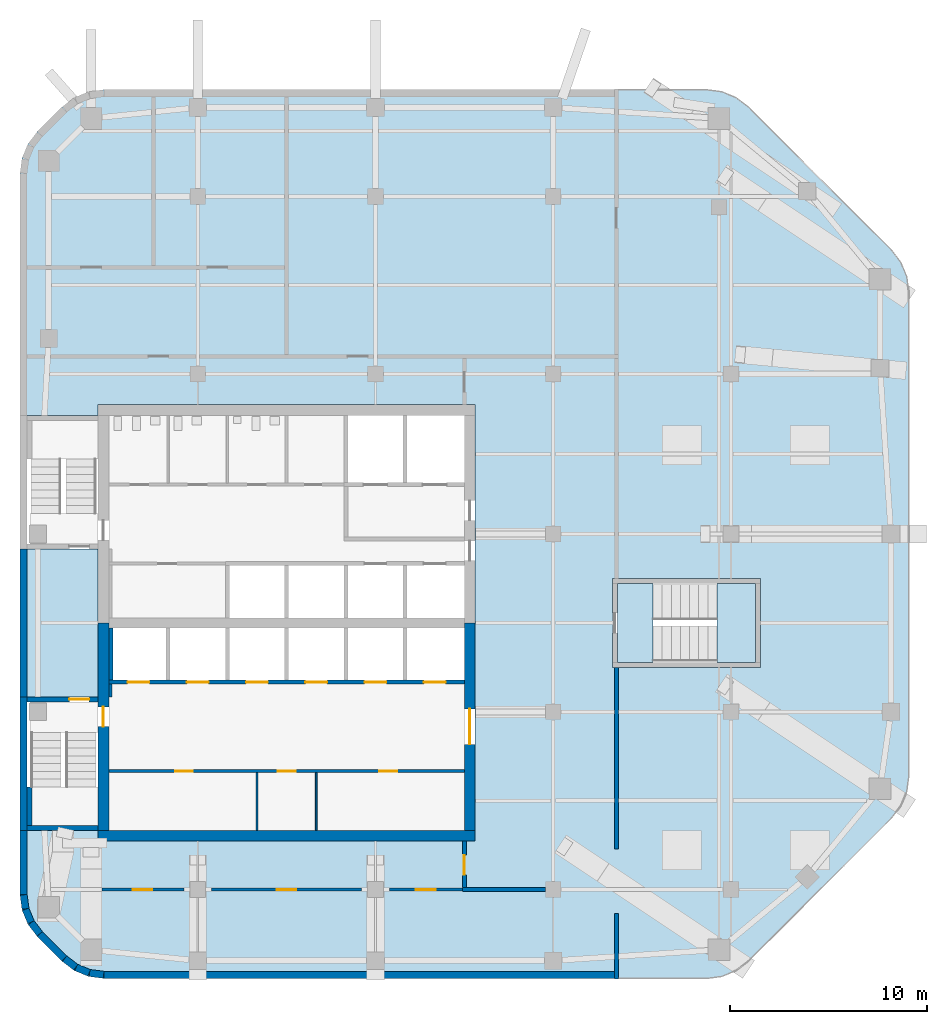
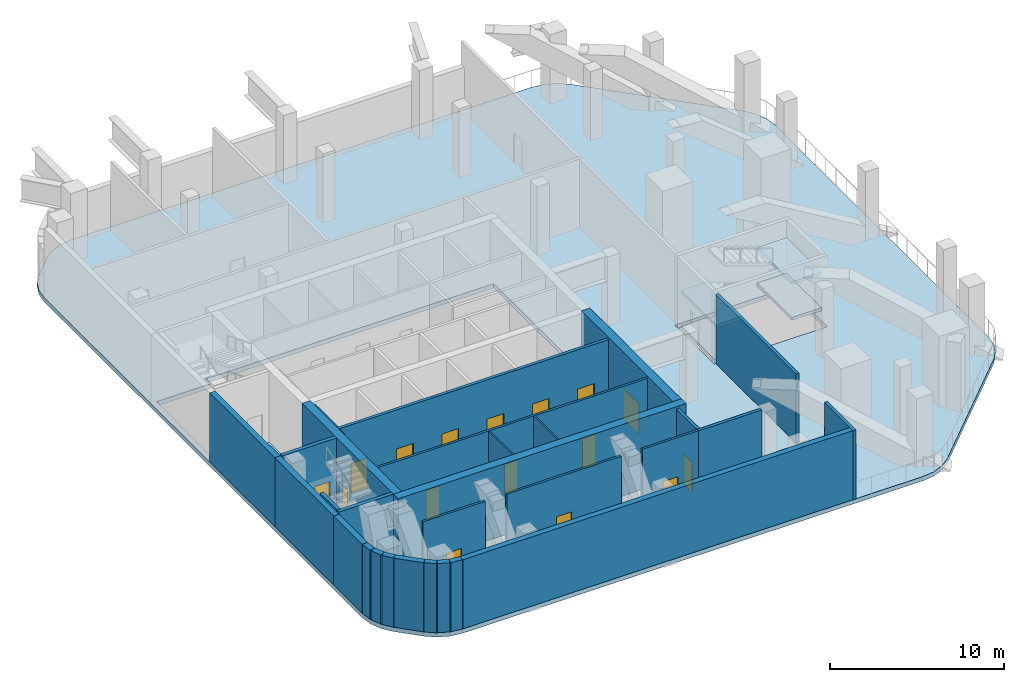
# One storey, part 3 of 8: 30 walls, 16 doors, 5 slabs, 16 openings, 1 element without a shape of its own.
"""IFC4 building model written with IfcOpenShell, lengths in metres."""

from ifc_helpers import new_model, si_unit, direction, frame, frame_2d, origin, place, context, subcontext, project, spatial, polyline, rectangle, outline, extrude, material, layer, layer_set, type_object, element, fill, aggregate, save


model = new_model("IFC4")

# Units and contexts
model_context = context("Model", 3, precision=1e-05, world=origin(), true_north=direction((0.0, 1.0)))
body_context = subcontext(model_context, "Body", "Model", "MODEL_VIEW")
ifc_project = project(units=[si_unit("LENGTHUNIT", "METRE"), si_unit("AREAUNIT", "SQUARE_METRE"), si_unit("VOLUMEUNIT", "CUBIC_METRE"), si_unit("PLANEANGLEUNIT", "RADIAN"), si_unit("MASSUNIT", "GRAM", prefix="KILO")], contexts=[model_context])

# Site, building, storey
site_placement = place(None, origin())
site = spatial("IfcSite", under=ifc_project, at=site_placement, CompositionType="ELEMENT")
building_placement = place(site_placement, origin())
building = spatial("IfcBuilding", under=site, at=building_placement, Name="Cinnabar Reach Civic Tower", CompositionType="ELEMENT")
storey_placement = place(building_placement, frame((0.0, 0.0, 242.0)))
storey = spatial("IfcBuildingStorey", under=building, at=storey_placement, Name="L58", CompositionType="ELEMENT", Elevation=242.0)

# Slab
ifc_material_1 = material(Name="Concrete C40", Category="concrete")
ifc_layer_1 = layer(ifc_material_1, 0.3)
ifc_layer_set_1 = layer_set([ifc_layer_1], Name="Refuge floor slab 300 REI 150")
slab_type_1 = type_object("IfcSlabType", Name="Refuge floor slab 300 REI 150", PredefinedType="FLOOR", material=ifc_layer_set_1)
slab_1_placement = place(storey_placement, frame((0.0, 0.0, -0.3)))
element("IfcSlab", 1, at=slab_1_placement, inside=storey, type_object=slab_type_1, Name="Refuge floor slab 300 T1 L58", PredefinedType="FLOOR", context=body_context, shape_type="SweptSolid", body=[
    extrude(outline(polyline([(0.8787, 15.6213), (0.4019, 16.2426), (0.1022, 16.9662), (0.0, 17.7426), (0.0, 54.2574), (0.1022, 55.0338), (0.4019, 55.7574), (0.8787, 56.3787), (2.1213, 57.6213), (2.7426, 58.0981), (3.4662, 58.3978), (4.2426, 58.5), (34.7574, 58.5), (35.5338, 58.3978), (36.2574, 58.0981), (36.8787, 57.6213), (44.1213, 50.3787), (44.5981, 49.7574), (44.8978, 49.0338), (45.0, 48.2574), (45.0, 23.7426), (44.8978, 22.9662), (44.5981, 22.2426), (44.1213, 21.6213), (36.8787, 14.3787), (36.2574, 13.9019), (35.5338, 13.6022), (34.7574, 13.5), (4.2426, 13.5), (3.4662, 13.6022), (2.7426, 13.9019), (2.1213, 14.3787), (0.8787, 15.6213)]), holes=[polyline([(0.36, 21.0), (3.95, 21.0), (3.95, 20.45), (23.05, 20.45), (23.05, 42.55), (3.95, 42.55), (3.95, 42.0), (0.36, 42.0), (0.36, 35.25), (3.95, 35.25), (3.95, 27.75), (0.36, 27.75), (0.36, 21.0)]), polyline([(30.0, 33.75), (30.0, 29.25), (37.5, 29.25), (37.5, 33.75), (30.0, 33.75)])]), origin(), (0.0, 0.0, 1.0), 0.3),
])

# Stair, slabs
ifc_material_2 = material(Name="Concrete C40/50", Category="concrete")
stair_type = type_object("IfcStairType", Name="T1 Exit stair, double return", PredefinedType="DOUBLE_RETURN_STAIR", material=ifc_material_2)
stair_placement = place(storey_placement, origin())
stair = element("IfcStair", 2, at=stair_placement, inside=storey, type_object=stair_type, Name="Stair T1-S3", PredefinedType="DOUBLE_RETURN_STAIR")
ifc_layer_2 = layer(ifc_material_2, 0.2)
ifc_layer_set_2 = layer_set([ifc_layer_2], Name="T1 Stair landing 200, Concrete C40/50")
slab_type_2 = type_object("IfcSlabType", Name="T1 Stair landing 200, Concrete C40/50", PredefinedType="LANDING", material=ifc_layer_set_2)
slab_2_placement = place(storey_placement, frame((0.0, 0.0, -0.2)))
slab_2 = element("IfcSlab", 3, at=slab_2_placement, type_object=slab_type_2, Name="T1-S3 landing 1", PredefinedType="LANDING", context=body_context, shape_type="SweptSolid", body=[
    extrude(outline(polyline([(30.25, 29.5), (32.05, 29.5), (32.05, 33.5), (30.25, 33.5), (30.25, 29.5)])), origin(), (0.0, 0.0, 1.0), 0.2),
])
slab_3_placement = place(storey_placement, frame((0.0, 0.0, 1.05)))
slab_3 = element("IfcSlab", 4, at=slab_3_placement, type_object=slab_type_2, Name="T1-S3 landing 2", PredefinedType="LANDING", context=body_context, shape_type="SweptSolid", body=[
    extrude(outline(polyline([(35.29, 29.5), (37.25, 29.5), (37.25, 33.5), (35.29, 33.5), (35.29, 29.5)])), origin(), (0.0, 0.0, 1.0), 0.2),
])
slab_4_placement = place(storey_placement, frame((0.0, 0.0, 2.3)))
slab_4 = element("IfcSlab", 5, at=slab_4_placement, type_object=slab_type_2, Name="T1-S3 landing 3", PredefinedType="LANDING", context=body_context, shape_type="SweptSolid", body=[
    extrude(outline(polyline([(30.25, 29.5), (32.05, 29.5), (32.05, 33.5), (30.25, 33.5), (30.25, 29.5)])), origin(), (0.0, 0.0, 1.0), 0.2),
])
slab_5_placement = place(storey_placement, frame((0.0, 0.0, 3.55)))
slab_5 = element("IfcSlab", 6, at=slab_5_placement, type_object=slab_type_2, Name="T1-S3 landing 4", PredefinedType="LANDING", context=body_context, shape_type="SweptSolid", body=[
    extrude(outline(polyline([(35.29, 29.5), (37.25, 29.5), (37.25, 33.5), (35.29, 33.5), (35.29, 29.5)])), origin(), (0.0, 0.0, 1.0), 0.2),
])
aggregate(stair, [slab_2, slab_3, slab_4, slab_5])

# Walls
ifc_material_3 = material(Name="Facing brick with insulated backing", Category="masonry")
ifc_layer_3 = layer(ifc_material_3, 0.36)
ifc_layer_set_3 = layer_set([ifc_layer_3], Name="Brick corner wall")
wall_type_1 = type_object("IfcWallType", Name="Brick corner wall", PredefinedType="STANDARD", material=ifc_layer_set_3)
for number, where, z_axis, x_axis, name in (
    (7, (0.183, 17.7314, 0.0), (0.0, 0.0, 1.0), (0.13055608231, -0.99144092581, 0.0), "Brick corner wall"),
    (8, (0.2819, 17.0027, 0.0), (0.0, 0.0, 1.0), (0.382702709855, -0.923871547278, 0.0), "Brick corner wall"),
):
    element("IfcWall", number, at=place(storey_placement, frame(where, z_axis=z_axis, x_axis=x_axis)), inside=storey, type_object=wall_type_1, Name=name, PredefinedType="STANDARD", context=body_context, shape_type="SweptSolid", body=[
        extrude(rectangle(XDim=0.7131, YDim=0.36, at=frame_2d((0.3565, 0.0))), origin(), (0.0, 0.0, 1.0), 4.85),
    ])
for number, where, z_axis, x_axis, name in (
    (9, (0.566, 16.3245, 0.0), (0.0, 0.0, 1.0), (0.608802368033, -0.793321924995, 0.0), "Brick corner wall"),
    (10, (2.2587, 14.5002, 0.0), (0.0, 0.0, 1.0), (0.793321924995, -0.608802368033, 0.0), "Brick corner wall"),
):
    element("IfcWall", number, at=place(storey_placement, frame(where, z_axis=z_axis, x_axis=x_axis)), inside=storey, type_object=wall_type_1, Name=name, PredefinedType="STANDARD", context=body_context, shape_type="SweptSolid", body=[
        extrude(rectangle(XDim=0.7132, YDim=0.36, at=frame_2d((0.3566, 0.0))), origin(), (0.0, 0.0, 1.0), 4.85),
    ])
for number, where, z_axis, x_axis, name in (
    (11, (2.8439, 14.0548, 0.0), (0.0, 0.0, 1.0), (0.923871547278, -0.382702709855, 0.0), "Brick corner wall"),
    (12, (3.5244, 13.7761, 0.0), (0.0, 0.0, 1.0), (0.99144092581, -0.13055608231, 0.0), "Brick corner wall"),
):
    element("IfcWall", number, at=place(storey_placement, frame(where, z_axis=z_axis, x_axis=x_axis)), inside=storey, type_object=wall_type_1, Name=name, PredefinedType="STANDARD", context=body_context, shape_type="SweptSolid", body=[
        extrude(rectangle(XDim=0.7131, YDim=0.36, at=frame_2d((0.3565, 0.0))), origin(), (0.0, 0.0, 1.0), 4.85),
    ])
ifc_layer_4 = layer(ifc_material_3, 0.36)
ifc_layer_set_4 = layer_set([ifc_layer_4], Name="Brick pier and spandrel wall")
wall_type_2 = type_object("IfcWallType", Name="Brick pier and spandrel wall", PredefinedType="STANDARD", material=ifc_layer_set_4)
wall_1_placement = place(storey_placement, frame((4.2426, 13.68, 0.0), z_axis=(0.0, 0.0, 1.0), x_axis=(1.0, 0.0, 0.0)))
element("IfcWall", 13, at=wall_1_placement, inside=storey, type_object=wall_type_2, Name="Brick facade wall", PredefinedType="STANDARD", context=body_context, shape_type="SweptSolid", body=[
    extrude(rectangle(XDim=25.9574, YDim=0.36, at=frame_2d((12.9787, 0.0))), origin(), (0.0, 0.0, 1.0), 4.85),
])
wall_2_placement = place(storey_placement, frame((0.18, 35.25, 0.0), z_axis=(0.0, 0.0, 1.0), x_axis=(0.0, -1.0, 0.0)))
element("IfcWall", 14, at=wall_2_placement, inside=storey, type_object=wall_type_2, Name="Brick facade wall", PredefinedType="STANDARD", context=body_context, shape_type="SweptSolid", body=[
    extrude(rectangle(XDim=7.5, YDim=0.36, at=frame_2d((3.75, 0.0))), origin(), (0.0, 0.0, 1.0), 4.85),
])
wall_3_placement = place(storey_placement, frame((0.18, 27.75, 0.0), z_axis=(0.0, 0.0, 1.0), x_axis=(0.0, -1.0, 0.0)))
element("IfcWall", 15, at=wall_3_placement, inside=storey, type_object=wall_type_2, Name="Brick facade wall", PredefinedType="STANDARD", context=body_context, shape_type="SweptSolid", body=[
    extrude(rectangle(XDim=6.75, YDim=0.36, at=frame_2d((3.375, 0.0))), origin(), (0.0, 0.0, 1.0), 4.85),
])
wall_4_placement = place(storey_placement, frame((0.18, 21.0, 0.0), z_axis=(0.0, 0.0, 1.0), x_axis=(0.0, -1.0, 0.0)))
element("IfcWall", 16, at=wall_4_placement, inside=storey, type_object=wall_type_2, Name="Brick facade wall", PredefinedType="STANDARD", context=body_context, shape_type="SweptSolid", body=[
    extrude(rectangle(XDim=3.2574, YDim=0.36, at=frame_2d((1.6287, 0.0))), origin(), (0.0, 0.0, 1.0), 4.85),
])
wall_5_placement = place(storey_placement, frame((1.006, 15.7486, 0.0), z_axis=(0.0, 0.0, 1.0), x_axis=(0.707106781187, -0.707106781187, 0.0)))
element("IfcWall", 17, at=wall_5_placement, inside=storey, type_object=wall_type_2, Name="Brick facade wall", PredefinedType="STANDARD", context=body_context, shape_type="SweptSolid", body=[
    extrude(rectangle(XDim=1.7573, YDim=0.36, at=frame_2d((0.8787, 0.0))), origin(), (0.0, 0.0, 1.0), 4.85),
])
ifc_material_4 = material(Name="Concrete C60", Category="concrete")
ifc_layer_5 = layer(ifc_material_4, 0.55)
ifc_layer_set_5 = layer_set([ifc_layer_5], Name="Core wall 550 EI 180")
wall_type_3 = type_object("IfcWallType", Name="Core wall 550 EI 180", PredefinedType="SOLIDWALL", material=ifc_layer_set_5)
wall_6_placement = place(storey_placement, frame((3.95, 20.725, 0.0), z_axis=(0.0, 0.0, 1.0), x_axis=(1.0, 0.0, 0.0)))
element("IfcWall", 18, at=wall_6_placement, inside=storey, type_object=wall_type_3, Name="Core wall T1 L58 S", PredefinedType="SOLIDWALL", context=body_context, shape_type="SweptSolid", body=[
    extrude(rectangle(XDim=19.1, YDim=0.55, at=frame_2d((9.55, 0.0))), origin(), (0.0, 0.0, 1.0), 5.0),
])

# Wall, opening, door
wall_7_placement = place(storey_placement, frame((22.775, 21.0, 0.0), z_axis=(0.0, 0.0, 1.0), x_axis=(0.0, 1.0, 0.0)))
wall_7 = element("IfcWall", 19, at=wall_7_placement, inside=storey, type_object=wall_type_3, Name="Core wall T1 L58 E", PredefinedType="SOLIDWALL", context=body_context, shape_type="SweptSolid", body=[
    extrude(rectangle(XDim=10.5, YDim=0.55, at=frame_2d((5.25, 0.0))), origin(), (0.0, 0.0, 1.0), 5.0),
])
opening_1_placement = place(wall_7_placement, frame((4.35, 0.0, 0.0)))
opening_1 = element("IfcOpeningElement", 20, at=opening_1_placement, cuts=wall_7, Name="Opening D5353", PredefinedType="OPENING", context=body_context, shape_type="SweptSolid", body=[
    extrude(rectangle(XDim=1.8, YDim=2.1, at=frame_2d((0.9, 1.05))), frame((0.0, 0.285, 0.0), z_axis=(0.0, -1.0, 0.0), x_axis=(1.0, 0.0, 0.0)), (0.0, 0.0, 1.0), 0.57),
])
ifc_material_5 = material(Name="Timber door leaf in steel frame", Category="steel")
door_type_1 = type_object("IfcDoorType", Name="Double swing door 1800 x 2100 T1", OperationType="DOUBLE_DOOR_DOUBLE_SWING", PredefinedType="DOOR", material=ifc_material_5)
door_1_placement = place(opening_1_placement, origin())
door_1 = element("IfcDoor", 21, at=door_1_placement, inside=storey, type_object=door_type_1, Name="Door D5353", OperationType="DOUBLE_DOOR_DOUBLE_SWING", OverallHeight=2.1, OverallWidth=1.8, PredefinedType="DOOR", context=body_context, shape_type="SweptSolid", body=[
    extrude(rectangle(XDim=1.8, YDim=2.1, at=frame_2d((0.9, 1.05))), frame((0.0, 0.025, 0.0), z_axis=(0.0, -1.0, 0.0), x_axis=(1.0, 0.0, 0.0)), (0.0, 0.0, 1.0), 0.05),
])
fill(opening_1, door_1)

wall_8_placement = place(storey_placement, frame((4.225, 31.5, 0.0), z_axis=(0.0, 0.0, 1.0), x_axis=(0.0, -1.0, 0.0)))
wall_8 = element("IfcWall", 22, at=wall_8_placement, inside=storey, type_object=wall_type_3, Name="Core wall T1 L58 W2", PredefinedType="SOLIDWALL", context=body_context, shape_type="SweptSolid", body=[
    extrude(rectangle(XDim=10.5, YDim=0.55, at=frame_2d((5.25, 0.0))), origin(), (0.0, 0.0, 1.0), 5.0),
])
opening_2_placement = place(wall_8_placement, frame((4.25, 0.0, 0.0)))
opening_2 = element("IfcOpeningElement", 23, at=opening_2_placement, cuts=wall_8, Name="Opening D5337", PredefinedType="OPENING", context=body_context, shape_type="SweptSolid", body=[
    extrude(rectangle(XDim=1.0, YDim=2.1, at=frame_2d((0.5, 1.05))), frame((0.0, 0.285, 0.0), z_axis=(0.0, -1.0, 0.0), x_axis=(1.0, 0.0, 0.0)), (0.0, 0.0, 1.0), 0.57),
])
door_type_2 = type_object("IfcDoorType", Name="Stair door 1000 x 2100 T1", OperationType="SINGLE_SWING_LEFT", PredefinedType="DOOR", material=ifc_material_5)
door_2_placement = place(opening_2_placement, frame((1.0, 0.0, 0.0), z_axis=(0.0, 0.0, 1.0), x_axis=(-1.0, 0.0, 0.0)))
door_2 = element("IfcDoor", 24, at=door_2_placement, inside=storey, type_object=door_type_2, Name="Door D5337", OperationType="SINGLE_SWING_RIGHT", OverallHeight=2.1, OverallWidth=1.0, PredefinedType="DOOR", context=body_context, shape_type="SweptSolid", body=[
    extrude(rectangle(XDim=1.0, YDim=2.1, at=frame_2d((0.5, 1.05))), frame((0.0, 0.025, 0.0), z_axis=(0.0, -1.0, 0.0), x_axis=(1.0, 0.0, 0.0)), (0.0, 0.0, 1.0), 0.05),
])
fill(opening_2, door_2)

ifc_material_6 = material(Name="Gypsum board on steel studs, double layer", Category="steel")
ifc_layer_6 = layer(ifc_material_6, 0.15)
ifc_layer_set_6 = layer_set([ifc_layer_6], Name="Corridor wall 150 T1")
wall_type_4 = type_object("IfcWallType", Name="Corridor wall 150 T1", PredefinedType="PARTITIONING", material=ifc_layer_set_6)
wall_9_placement = place(storey_placement, frame((18.7, 18.0, 0.0), z_axis=(0.0, 0.0, 1.0), x_axis=(1.0, 0.0, 0.0)))
wall_9 = element("IfcWall", 25, at=wall_9_placement, inside=storey, type_object=wall_type_4, Name="Corridor wall 29", PredefinedType="PARTITIONING", context=body_context, shape_type="SweptSolid", body=[
    extrude(rectangle(XDim=3.7, YDim=0.15, at=frame_2d((1.85, 0.0))), origin(), (0.0, 0.0, 1.0), 4.85),
])
opening_3_placement = place(wall_9_placement, frame((1.35, 0.0, 0.0)))
opening_3 = element("IfcOpeningElement", 26, at=opening_3_placement, cuts=wall_9, Name="Opening D5367", PredefinedType="OPENING", context=body_context, shape_type="SweptSolid", body=[
    extrude(rectangle(XDim=1.0, YDim=2.1, at=frame_2d((0.5, 1.05))), frame((0.0, 0.085, 0.0), z_axis=(0.0, -1.0, 0.0), x_axis=(1.0, 0.0, 0.0)), (0.0, 0.0, 1.0), 0.17),
])
door_type_3 = type_object("IfcDoorType", Name="Plant room door 1000 x 2100 T1", OperationType="SINGLE_SWING_LEFT", PredefinedType="DOOR", material=ifc_material_5)
door_3_placement = place(opening_3_placement, origin())
door_3 = element("IfcDoor", 27, at=door_3_placement, inside=storey, type_object=door_type_3, Name="Door D5367", OperationType="SINGLE_SWING_LEFT", OverallHeight=2.1, OverallWidth=1.0, PredefinedType="DOOR", context=body_context, shape_type="SweptSolid", body=[
    extrude(rectangle(XDim=1.0, YDim=2.1, at=frame_2d((0.5, 1.05))), frame((0.0, 0.025, 0.0), z_axis=(0.0, -1.0, 0.0), x_axis=(1.0, 0.0, 0.0)), (0.0, 0.0, 1.0), 0.05),
])
fill(opening_3, door_3)

wall_10_placement = place(storey_placement, frame((9.7, 18.0, 0.0), z_axis=(0.0, 0.0, 1.0), x_axis=(1.0, 0.0, 0.0)))
wall_10 = element("IfcWall", 28, at=wall_10_placement, inside=storey, type_object=wall_type_4, Name="Corridor wall 30", PredefinedType="PARTITIONING", context=body_context, shape_type="SweptSolid", body=[
    extrude(rectangle(XDim=7.6, YDim=0.15, at=frame_2d((3.8, 0.0))), origin(), (0.0, 0.0, 1.0), 4.85),
])
opening_4_placement = place(wall_10_placement, frame((3.3, 0.0, 0.0)))
opening_4 = element("IfcOpeningElement", 29, at=opening_4_placement, cuts=wall_10, Name="Opening D5366", PredefinedType="OPENING", context=body_context, shape_type="SweptSolid", body=[
    extrude(rectangle(XDim=1.0, YDim=2.1, at=frame_2d((0.5, 1.05))), frame((0.0, 0.085, 0.0), z_axis=(0.0, -1.0, 0.0), x_axis=(1.0, 0.0, 0.0)), (0.0, 0.0, 1.0), 0.17),
])
door_4_placement = place(opening_4_placement, frame((1.0, 0.0, 0.0), z_axis=(0.0, 0.0, 1.0), x_axis=(-1.0, 0.0, 0.0)))
door_4 = element("IfcDoor", 30, at=door_4_placement, inside=storey, type_object=door_type_3, Name="Door D5366", OperationType="SINGLE_SWING_LEFT", OverallHeight=2.1, OverallWidth=1.0, PredefinedType="DOOR", context=body_context, shape_type="SweptSolid", body=[
    extrude(rectangle(XDim=1.0, YDim=2.1, at=frame_2d((0.5, 1.05))), frame((0.0, 0.025, 0.0), z_axis=(0.0, -1.0, 0.0), x_axis=(1.0, 0.0, 0.0)), (0.0, 0.0, 1.0), 0.05),
])
fill(opening_4, door_4)

wall_11_placement = place(storey_placement, frame((4.1519, 18.0, 0.0), z_axis=(0.0, 0.0, 1.0), x_axis=(1.0, 0.0, 0.0)))
wall_11 = element("IfcWall", 31, at=wall_11_placement, inside=storey, type_object=wall_type_4, Name="Corridor wall 31", PredefinedType="PARTITIONING", context=body_context, shape_type="SweptSolid", body=[
    extrude(rectangle(XDim=4.1481, YDim=0.15, at=frame_2d((2.0741, 0.0))), origin(), (0.0, 0.0, 1.0), 4.85),
])
opening_5_placement = place(wall_11_placement, frame((1.55, 0.0, 0.0)))
opening_5 = element("IfcOpeningElement", 32, at=opening_5_placement, cuts=wall_11, Name="Opening D5365", PredefinedType="OPENING", context=body_context, shape_type="SweptSolid", body=[
    extrude(rectangle(XDim=1.0, YDim=2.1, at=frame_2d((0.5, 1.05))), frame((0.0, 0.085, 0.0), z_axis=(0.0, -1.0, 0.0), x_axis=(1.0, 0.0, 0.0)), (0.0, 0.0, 1.0), 0.17),
])
door_5_placement = place(opening_5_placement, origin())
door_5 = element("IfcDoor", 33, at=door_5_placement, inside=storey, type_object=door_type_3, Name="Door D5365", OperationType="SINGLE_SWING_LEFT", OverallHeight=2.1, OverallWidth=1.0, PredefinedType="DOOR", context=body_context, shape_type="SweptSolid", body=[
    extrude(rectangle(XDim=1.0, YDim=2.1, at=frame_2d((0.5, 1.05))), frame((0.0, 0.025, 0.0), z_axis=(0.0, -1.0, 0.0), x_axis=(1.0, 0.0, 0.0)), (0.0, 0.0, 1.0), 0.05),
])
fill(opening_5, door_5)

# Wall, openings, doors
wall_12_placement = place(storey_placement, frame((4.5, 24.0, 0.0), z_axis=(0.0, 0.0, 1.0), x_axis=(1.0, 0.0, 0.0)))
wall_12 = element("IfcWall", 34, at=wall_12_placement, inside=storey, type_object=wall_type_4, Name="Corridor wall 32", PredefinedType="PARTITIONING", context=body_context, shape_type="SweptSolid", body=[
    extrude(rectangle(XDim=18.0, YDim=0.15, at=frame_2d((9.0, 0.0))), origin(), (0.0, 0.0, 1.0), 4.85),
])
opening_6_placement = place(wall_12_placement, frame((3.35, 0.0, 0.0)))
opening_6 = element("IfcOpeningElement", 35, at=opening_6_placement, cuts=wall_12, Name="Opening D5357", PredefinedType="OPENING", context=body_context, shape_type="SweptSolid", body=[
    extrude(rectangle(XDim=0.9, YDim=2.1, at=frame_2d((0.45, 1.05))), frame((0.0, 0.085, 0.0), z_axis=(0.0, -1.0, 0.0), x_axis=(1.0, 0.0, 0.0)), (0.0, 0.0, 1.0), 0.17),
])
opening_7_placement = place(wall_12_placement, frame((8.55, 0.0, 0.0)))
opening_7 = element("IfcOpeningElement", 36, at=opening_7_placement, cuts=wall_12, Name="Opening D5358", PredefinedType="OPENING", context=body_context, shape_type="SweptSolid", body=[
    extrude(rectangle(XDim=0.9, YDim=2.1, at=frame_2d((0.45, 1.05))), frame((0.0, 0.085, 0.0), z_axis=(0.0, -1.0, 0.0), x_axis=(1.0, 0.0, 0.0)), (0.0, 0.0, 1.0), 0.17),
])
opening_8_placement = place(wall_12_placement, frame((13.7, 0.0, 0.0)))
opening_8 = element("IfcOpeningElement", 37, at=opening_8_placement, cuts=wall_12, Name="Opening D5359", PredefinedType="OPENING", context=body_context, shape_type="SweptSolid", body=[
    extrude(rectangle(XDim=0.9, YDim=2.1, at=frame_2d((0.45, 1.05))), frame((0.0, 0.085, 0.0), z_axis=(0.0, -1.0, 0.0), x_axis=(1.0, 0.0, 0.0)), (0.0, 0.0, 1.0), 0.17),
])
door_type_4 = type_object("IfcDoorType", Name="Single swing door 900 x 2100 corridor T1", OperationType="SINGLE_SWING_LEFT", PredefinedType="DOOR", material=ifc_material_5)
door_6_placement = place(opening_6_placement, frame((0.9, 0.0, 0.0), z_axis=(0.0, 0.0, 1.0), x_axis=(-1.0, 0.0, 0.0)))
door_6 = element("IfcDoor", 38, at=door_6_placement, inside=storey, type_object=door_type_4, Name="Door D5357", OperationType="SINGLE_SWING_RIGHT", OverallHeight=2.1, OverallWidth=0.9, PredefinedType="DOOR", context=body_context, shape_type="SweptSolid", body=[
    extrude(rectangle(XDim=0.9, YDim=2.1, at=frame_2d((0.45, 1.05))), frame((0.0, 0.025, 0.0), z_axis=(0.0, -1.0, 0.0), x_axis=(1.0, 0.0, 0.0)), (0.0, 0.0, 1.0), 0.05),
])
fill(opening_6, door_6)
door_7_placement = place(opening_7_placement, frame((0.9, 0.0, 0.0), z_axis=(0.0, 0.0, 1.0), x_axis=(-1.0, 0.0, 0.0)))
door_7 = element("IfcDoor", 39, at=door_7_placement, inside=storey, type_object=door_type_4, Name="Door D5358", OperationType="SINGLE_SWING_LEFT", OverallHeight=2.1, OverallWidth=0.9, PredefinedType="DOOR", context=body_context, shape_type="SweptSolid", body=[
    extrude(rectangle(XDim=0.9, YDim=2.1, at=frame_2d((0.45, 1.05))), frame((0.0, 0.025, 0.0), z_axis=(0.0, -1.0, 0.0), x_axis=(1.0, 0.0, 0.0)), (0.0, 0.0, 1.0), 0.05),
])
fill(opening_7, door_7)
door_8_placement = place(opening_8_placement, frame((0.9, 0.0, 0.0), z_axis=(0.0, 0.0, 1.0), x_axis=(-1.0, 0.0, 0.0)))
door_8 = element("IfcDoor", 40, at=door_8_placement, inside=storey, type_object=door_type_4, Name="Door D5359", OperationType="SINGLE_SWING_LEFT", OverallHeight=2.1, OverallWidth=0.9, PredefinedType="DOOR", context=body_context, shape_type="SweptSolid", body=[
    extrude(rectangle(XDim=0.9, YDim=2.1, at=frame_2d((0.45, 1.05))), frame((0.0, 0.025, 0.0), z_axis=(0.0, -1.0, 0.0), x_axis=(1.0, 0.0, 0.0)), (0.0, 0.0, 1.0), 0.05),
])
fill(opening_8, door_8)

# Wall
wall_13_placement = place(storey_placement, frame((4.575, 27.75, 0.0), z_axis=(0.0, 0.0, 1.0), x_axis=(0.0, 1.0, 0.0)))
element("IfcWall", 41, at=wall_13_placement, inside=storey, type_object=wall_type_4, Name="Corridor wall 37", PredefinedType="PARTITIONING", context=body_context, shape_type="SweptSolid", body=[
    extrude(rectangle(XDim=0.65, YDim=0.15, at=frame_2d((0.325, 0.0))), origin(), (0.0, 0.0, 1.0), 4.85),
])

# Wall, openings, doors
ifc_material_7 = material(Name="Blockwork", Category="masonry")
ifc_layer_7 = layer(ifc_material_7, 0.2)
ifc_layer_set_7 = layer_set([ifc_layer_7], Name="Lift shaft wall 200 T1")
wall_type_5 = type_object("IfcWallType", Name="Lift shaft wall 200 T1", PredefinedType="PARTITIONING", material=ifc_layer_set_7)
wall_14_placement = place(storey_placement, frame((4.5, 28.5, 0.0), z_axis=(0.0, 0.0, 1.0), x_axis=(1.0, 0.0, 0.0)))
wall_14 = element("IfcWall", 42, at=wall_14_placement, inside=storey, type_object=wall_type_5, Name="Lift shaft wall 15", PredefinedType="PARTITIONING", context=body_context, shape_type="SweptSolid", body=[
    extrude(rectangle(XDim=18.0, YDim=0.2, at=frame_2d((9.0, 0.0))), origin(), (0.0, 0.0, 1.0), 4.85),
])
opening_9_placement = place(wall_14_placement, frame((0.95, 0.0, 0.0)))
opening_9 = element("IfcOpeningElement", 43, at=opening_9_placement, cuts=wall_14, Name="Opening D5341", PredefinedType="OPENING", context=body_context, shape_type="SweptSolid", body=[
    extrude(rectangle(XDim=1.1, YDim=2.1, at=frame_2d((0.55, 1.05))), frame((0.0, 0.11, 0.0), z_axis=(0.0, -1.0, 0.0), x_axis=(1.0, 0.0, 0.0)), (0.0, 0.0, 1.0), 0.22),
])
opening_10_placement = place(wall_14_placement, frame((3.95, 0.0, 0.0)))
opening_10 = element("IfcOpeningElement", 44, at=opening_10_placement, cuts=wall_14, Name="Opening D5342", PredefinedType="OPENING", context=body_context, shape_type="SweptSolid", body=[
    extrude(rectangle(XDim=1.1, YDim=2.1, at=frame_2d((0.55, 1.05))), frame((0.0, 0.11, 0.0), z_axis=(0.0, -1.0, 0.0), x_axis=(1.0, 0.0, 0.0)), (0.0, 0.0, 1.0), 0.22),
])
opening_11_placement = place(wall_14_placement, frame((6.95, 0.0, 0.0)))
opening_11 = element("IfcOpeningElement", 45, at=opening_11_placement, cuts=wall_14, Name="Opening D5343", PredefinedType="OPENING", context=body_context, shape_type="SweptSolid", body=[
    extrude(rectangle(XDim=1.1, YDim=2.1, at=frame_2d((0.55, 1.05))), frame((0.0, 0.11, 0.0), z_axis=(0.0, -1.0, 0.0), x_axis=(1.0, 0.0, 0.0)), (0.0, 0.0, 1.0), 0.22),
])
opening_12_placement = place(wall_14_placement, frame((9.95, 0.0, 0.0)))
opening_12 = element("IfcOpeningElement", 46, at=opening_12_placement, cuts=wall_14, Name="Opening D5344", PredefinedType="OPENING", context=body_context, shape_type="SweptSolid", body=[
    extrude(rectangle(XDim=1.1, YDim=2.1, at=frame_2d((0.55, 1.05))), frame((0.0, 0.11, 0.0), z_axis=(0.0, -1.0, 0.0), x_axis=(1.0, 0.0, 0.0)), (0.0, 0.0, 1.0), 0.22),
])
opening_13_placement = place(wall_14_placement, frame((12.95, 0.0, 0.0)))
opening_13 = element("IfcOpeningElement", 47, at=opening_13_placement, cuts=wall_14, Name="Opening D5345", PredefinedType="OPENING", context=body_context, shape_type="SweptSolid", body=[
    extrude(rectangle(XDim=1.1, YDim=2.1, at=frame_2d((0.55, 1.05))), frame((0.0, 0.11, 0.0), z_axis=(0.0, -1.0, 0.0), x_axis=(1.0, 0.0, 0.0)), (0.0, 0.0, 1.0), 0.22),
])
opening_14_placement = place(wall_14_placement, frame((15.95, 0.0, 0.0)))
opening_14 = element("IfcOpeningElement", 48, at=opening_14_placement, cuts=wall_14, Name="Opening D5346", PredefinedType="OPENING", context=body_context, shape_type="SweptSolid", body=[
    extrude(rectangle(XDim=1.1, YDim=2.1, at=frame_2d((0.55, 1.05))), frame((0.0, 0.11, 0.0), z_axis=(0.0, -1.0, 0.0), x_axis=(1.0, 0.0, 0.0)), (0.0, 0.0, 1.0), 0.22),
])
ifc_material_8 = material(Name="Stainless steel sliding door", Category="steel")
door_type_5 = type_object("IfcDoorType", Name="Lift landing door 1100 x 2100 T1", OperationType="SLIDING_TO_LEFT", PredefinedType="DOOR", material=ifc_material_8)
door_9_placement = place(opening_9_placement, origin())
door_9 = element("IfcDoor", 49, at=door_9_placement, inside=storey, type_object=door_type_5, Name="Lift landing door HR1 L58", OperationType="SLIDING_TO_LEFT", OverallHeight=2.1, OverallWidth=1.1, PredefinedType="DOOR", context=body_context, shape_type="SweptSolid", body=[
    extrude(rectangle(XDim=1.1, YDim=2.1, at=frame_2d((0.55, 1.05))), frame((0.0, 0.025, 0.0), z_axis=(0.0, -1.0, 0.0), x_axis=(1.0, 0.0, 0.0)), (0.0, 0.0, 1.0), 0.05),
])
fill(opening_9, door_9)
door_10_placement = place(opening_10_placement, origin())
door_10 = element("IfcDoor", 50, at=door_10_placement, inside=storey, type_object=door_type_5, Name="Lift landing door HR2 L58", OperationType="SLIDING_TO_LEFT", OverallHeight=2.1, OverallWidth=1.1, PredefinedType="DOOR", context=body_context, shape_type="SweptSolid", body=[
    extrude(rectangle(XDim=1.1, YDim=2.1, at=frame_2d((0.55, 1.05))), frame((0.0, 0.025, 0.0), z_axis=(0.0, -1.0, 0.0), x_axis=(1.0, 0.0, 0.0)), (0.0, 0.0, 1.0), 0.05),
])
fill(opening_10, door_10)
door_11_placement = place(opening_11_placement, origin())
door_11 = element("IfcDoor", 51, at=door_11_placement, inside=storey, type_object=door_type_5, Name="Lift landing door HR3 L58", OperationType="SLIDING_TO_LEFT", OverallHeight=2.1, OverallWidth=1.1, PredefinedType="DOOR", context=body_context, shape_type="SweptSolid", body=[
    extrude(rectangle(XDim=1.1, YDim=2.1, at=frame_2d((0.55, 1.05))), frame((0.0, 0.025, 0.0), z_axis=(0.0, -1.0, 0.0), x_axis=(1.0, 0.0, 0.0)), (0.0, 0.0, 1.0), 0.05),
])
fill(opening_11, door_11)
door_12_placement = place(opening_12_placement, origin())
door_12 = element("IfcDoor", 52, at=door_12_placement, inside=storey, type_object=door_type_5, Name="Lift landing door HR4 L58", OperationType="SLIDING_TO_LEFT", OverallHeight=2.1, OverallWidth=1.1, PredefinedType="DOOR", context=body_context, shape_type="SweptSolid", body=[
    extrude(rectangle(XDim=1.1, YDim=2.1, at=frame_2d((0.55, 1.05))), frame((0.0, 0.025, 0.0), z_axis=(0.0, -1.0, 0.0), x_axis=(1.0, 0.0, 0.0)), (0.0, 0.0, 1.0), 0.05),
])
fill(opening_12, door_12)
door_13_placement = place(opening_13_placement, origin())
door_13 = element("IfcDoor", 53, at=door_13_placement, inside=storey, type_object=door_type_5, Name="Lift landing door HR5 L58", OperationType="SLIDING_TO_LEFT", OverallHeight=2.1, OverallWidth=1.1, PredefinedType="DOOR", context=body_context, shape_type="SweptSolid", body=[
    extrude(rectangle(XDim=1.1, YDim=2.1, at=frame_2d((0.55, 1.05))), frame((0.0, 0.025, 0.0), z_axis=(0.0, -1.0, 0.0), x_axis=(1.0, 0.0, 0.0)), (0.0, 0.0, 1.0), 0.05),
])
fill(opening_13, door_13)
door_14_placement = place(opening_14_placement, origin())
door_14 = element("IfcDoor", 54, at=door_14_placement, inside=storey, type_object=door_type_5, Name="Lift landing door HR6 L58", OperationType="SLIDING_TO_LEFT", OverallHeight=2.1, OverallWidth=1.1, PredefinedType="DOOR", context=body_context, shape_type="SweptSolid", body=[
    extrude(rectangle(XDim=1.1, YDim=2.1, at=frame_2d((0.55, 1.05))), frame((0.0, 0.025, 0.0), z_axis=(0.0, -1.0, 0.0), x_axis=(1.0, 0.0, 0.0)), (0.0, 0.0, 1.0), 0.05),
])
fill(opening_14, door_14)

# Walls
wall_15_placement = place(storey_placement, frame((4.6, 28.6, 0.0), z_axis=(0.0, 0.0, 1.0), x_axis=(0.0, 1.0, 0.0)))
element("IfcWall", 55, at=wall_15_placement, inside=storey, type_object=wall_type_5, Name="Lift shaft wall 27", PredefinedType="PARTITIONING", context=body_context, shape_type="SweptSolid", body=[
    extrude(rectangle(XDim=2.65, YDim=0.2, at=frame_2d((1.325, 0.0))), origin(), (0.0, 0.0, 1.0), 4.85),
])
ifc_material_9 = material(Name="Gypsum board on steel studs", Category="steel")
ifc_layer_8 = layer(ifc_material_9, 0.1)
ifc_layer_set_8 = layer_set([ifc_layer_8], Name="Partition wall 100 T1")
wall_type_6 = type_object("IfcWallType", Name="Partition wall 100 T1", PredefinedType="PARTITIONING", material=ifc_layer_set_8)
for number, where, z_axis, x_axis, name in (
    (56, (12.0, 21.0, 0.0), (0.0, 0.0, 1.0), (0.0, 1.0, 0.0), "Partition wall 41"),
    (57, (15.0, 21.0, 0.0), (0.0, 0.0, 1.0), (0.0, 1.0, 0.0), "Partition wall 42"),
):
    element("IfcWall", number, at=place(storey_placement, frame(where, z_axis=z_axis, x_axis=x_axis)), inside=storey, type_object=wall_type_6, Name=name, PredefinedType="PARTITIONING", context=body_context, shape_type="SweptSolid", body=[
        extrude(rectangle(XDim=2.925, YDim=0.1, at=frame_2d((1.4625, 0.0))), origin(), (0.0, 0.0, 1.0), 4.85),
    ])
ifc_layer_9 = layer(ifc_material_1, 0.2)
ifc_layer_set_9 = layer_set([ifc_layer_9], Name="Refuge compartment wall 200 T1")
wall_type_7 = type_object("IfcWallType", Name="Refuge compartment wall 200 T1", PredefinedType="PARTITIONING", material=ifc_layer_set_9)
wall_16_placement = place(storey_placement, frame((30.2, 20.0475, 0.0), z_axis=(0.0, 0.0, 1.0), x_axis=(0.0, 1.0, 0.0)))
element("IfcWall", 58, at=wall_16_placement, inside=storey, type_object=wall_type_7, Name="Refuge compartment wall 4", PredefinedType="PARTITIONING", context=body_context, shape_type="SweptSolid", body=[
    extrude(rectangle(XDim=9.2025, YDim=0.2, at=frame_2d((4.6013, 0.0))), origin(), (0.0, 0.0, 1.0), 4.85),
])
wall_17_placement = place(storey_placement, frame((30.2, 13.4732, 0.0), z_axis=(0.0, 0.0, 1.0), x_axis=(0.0, 1.0, 0.0)))
element("IfcWall", 59, at=wall_17_placement, inside=storey, type_object=wall_type_7, Name="Refuge compartment wall 5", PredefinedType="PARTITIONING", context=body_context, shape_type="SweptSolid", body=[
    extrude(rectangle(XDim=3.3163, YDim=0.2, at=frame_2d((1.6582, 0.0))), origin(), (0.0, 0.0, 1.0), 4.85),
])
wall_18_placement = place(storey_placement, frame((22.4, 18.0, 0.0), z_axis=(0.0, 0.0, 1.0), x_axis=(1.0, 0.0, 0.0)))
element("IfcWall", 60, at=wall_18_placement, inside=storey, type_object=wall_type_7, Name="Refuge compartment wall 9", PredefinedType="PARTITIONING", context=body_context, shape_type="SweptSolid", body=[
    extrude(rectangle(XDim=4.2, YDim=0.2, at=frame_2d((2.1, 0.0))), origin(), (0.0, 0.0, 1.0), 4.85),
])

# Wall, opening, door
wall_19_placement = place(storey_placement, frame((22.5, 18.1, 0.0), z_axis=(0.0, 0.0, 1.0), x_axis=(0.0, 1.0, 0.0)))
wall_19 = element("IfcWall", 61, at=wall_19_placement, inside=storey, type_object=wall_type_7, Name="Refuge compartment wall 12", PredefinedType="PARTITIONING", context=body_context, shape_type="SweptSolid", body=[
    extrude(rectangle(XDim=2.35, YDim=0.2, at=frame_2d((1.175, 0.0))), origin(), (0.0, 0.0, 1.0), 4.85),
])
opening_15_placement = place(wall_19_placement, frame((0.65, 0.0, 0.0)))
opening_15 = element("IfcOpeningElement", 62, at=opening_15_placement, cuts=wall_19, Name="Opening D5351", PredefinedType="OPENING", context=body_context, shape_type="SweptSolid", body=[
    extrude(rectangle(XDim=1.0, YDim=2.1, at=frame_2d((0.5, 1.05))), frame((0.0, 0.11, 0.0), z_axis=(0.0, -1.0, 0.0), x_axis=(1.0, 0.0, 0.0)), (0.0, 0.0, 1.0), 0.22),
])
door_type_6 = type_object("IfcDoorType", Name="Refuge door 1000 x 2100 T1", OperationType="SINGLE_SWING_LEFT", PredefinedType="DOOR", material=ifc_material_5)
door_15_placement = place(opening_15_placement, origin())
door_15 = element("IfcDoor", 63, at=door_15_placement, inside=storey, type_object=door_type_6, Name="Door D5351", OperationType="SINGLE_SWING_LEFT", OverallHeight=2.1, OverallWidth=1.0, PredefinedType="DOOR", context=body_context, shape_type="SweptSolid", body=[
    extrude(rectangle(XDim=1.0, YDim=2.1, at=frame_2d((0.5, 1.05))), frame((0.0, 0.025, 0.0), z_axis=(0.0, -1.0, 0.0), x_axis=(1.0, 0.0, 0.0)), (0.0, 0.0, 1.0), 0.05),
])
fill(opening_15, door_15)

# Wall
ifc_layer_10 = layer(ifc_material_4, 0.25)
ifc_layer_set_10 = layer_set([ifc_layer_10], Name="Stair shaft wall 250 EI 120")
wall_type_8 = type_object("IfcWallType", Name="Stair shaft wall 250 EI 120", PredefinedType="SOLIDWALL", material=ifc_layer_set_10)
wall_20_placement = place(storey_placement, frame((0.36, 21.125, 0.0), z_axis=(0.0, 0.0, 1.0), x_axis=(1.0, 0.0, 0.0)))
element("IfcWall", 64, at=wall_20_placement, inside=storey, type_object=wall_type_8, Name="Stair shaft wall T1-S1 L58", PredefinedType="SOLIDWALL", context=body_context, shape_type="SweptSolid", body=[
    extrude(rectangle(XDim=3.59, YDim=0.25, at=frame_2d((1.795, 0.0))), origin(), (0.0, 0.0, 1.0), 5.0),
])

# Wall, opening, door
wall_21_placement = place(storey_placement, frame((3.95, 27.625, 0.0), z_axis=(0.0, 0.0, 1.0), x_axis=(-1.0, 0.0, 0.0)))
wall_21 = element("IfcWall", 65, at=wall_21_placement, inside=storey, type_object=wall_type_8, Name="Stair shaft wall T1-S1 L58", PredefinedType="SOLIDWALL", context=body_context, shape_type="SweptSolid", body=[
    extrude(rectangle(XDim=3.59, YDim=0.25, at=frame_2d((1.795, 0.0))), origin(), (0.0, 0.0, 1.0), 5.0),
])
opening_16_placement = place(wall_21_placement, frame((0.45, 0.0, 0.0)))
opening_16 = element("IfcOpeningElement", 66, at=opening_16_placement, cuts=wall_21, Name="Opening D5338", PredefinedType="OPENING", context=body_context, shape_type="SweptSolid", body=[
    extrude(rectangle(XDim=1.0, YDim=2.1, at=frame_2d((0.5, 1.05))), frame((0.0, 0.135, 0.0), z_axis=(0.0, -1.0, 0.0), x_axis=(1.0, 0.0, 0.0)), (0.0, 0.0, 1.0), 0.27),
])
door_16_placement = place(opening_16_placement, origin())
door_16 = element("IfcDoor", 67, at=door_16_placement, inside=storey, type_object=door_type_2, Name="Door D5338", OperationType="SINGLE_SWING_LEFT", OverallHeight=2.1, OverallWidth=1.0, PredefinedType="DOOR", context=body_context, shape_type="SweptSolid", body=[
    extrude(rectangle(XDim=1.0, YDim=2.1, at=frame_2d((0.5, 1.05))), frame((0.0, 0.025, 0.0), z_axis=(0.0, -1.0, 0.0), x_axis=(1.0, 0.0, 0.0)), (0.0, 0.0, 1.0), 0.05),
])
fill(opening_16, door_16)

# Wall
ifc_layer_11 = layer(ifc_material_2, 0.24)
ifc_layer_set_11 = layer_set([ifc_layer_11], Name="T1 landing bearer wall 240")
wall_type_9 = type_object("IfcWallType", Name="T1 landing bearer wall 240", PredefinedType="STANDARD", material=ifc_layer_set_11)
wall_22_placement = place(storey_placement, frame((0.48, 21.25, 0.0), z_axis=(0.0, 0.0, 1.0), x_axis=(0.0, 1.0, 0.0)))
element("IfcWall", 68, at=wall_22_placement, inside=storey, type_object=wall_type_9, Name="T1-S1 landing bearer wall", PredefinedType="STANDARD", context=body_context, shape_type="SweptSolid", body=[
    extrude(rectangle(XDim=1.955, YDim=0.24, at=frame_2d((0.9775, 0.0))), origin(), (0.0, 0.0, 1.0), 5.0),
])

save(model, "model.ifc")
